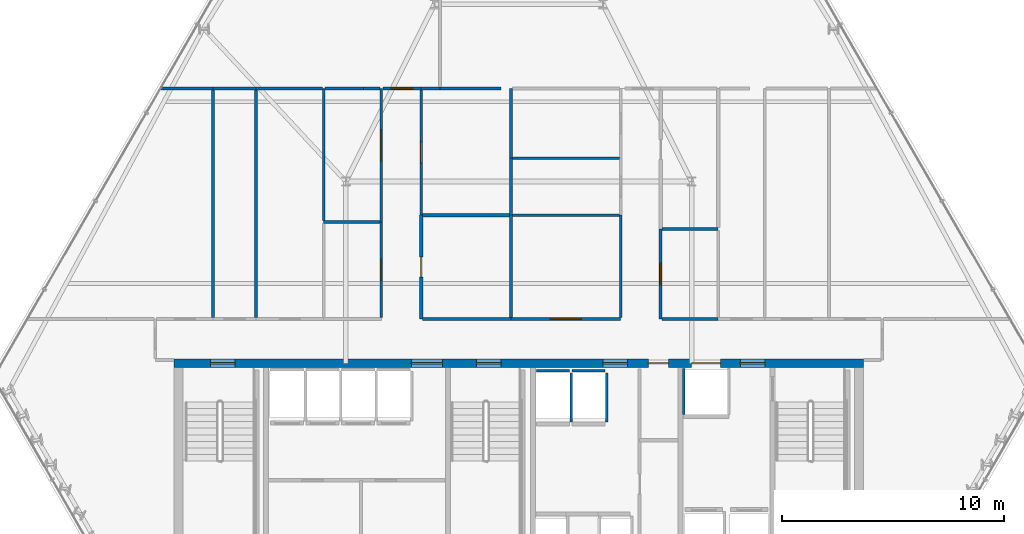
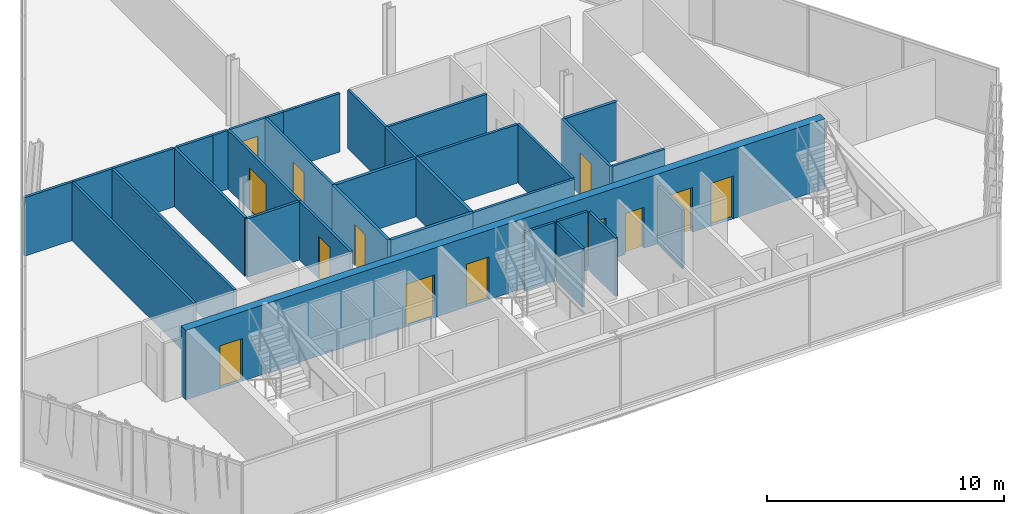
# One storey, part 28 of 33: 34 walls, 14 doors, 14 openings.
"""IFC4 building model written with IfcOpenShell, lengths in metres."""

from ifc_helpers import new_model, si_unit, direction, frame, frame_2d, origin, place, context, subcontext, project, spatial, rectangle, extrude, material, layer, layer_set, type_object, element, fill, save


model = new_model("IFC4")

# Units and contexts
model_context = context("Model", 3, precision=1e-05, world=origin(), true_north=direction((0.0, 1.0)))
body_context = subcontext(model_context, "Body", "Model", "MODEL_VIEW")
ifc_project = project(units=[si_unit("LENGTHUNIT", "METRE"), si_unit("AREAUNIT", "SQUARE_METRE"), si_unit("VOLUMEUNIT", "CUBIC_METRE"), si_unit("PLANEANGLEUNIT", "RADIAN"), si_unit("MASSUNIT", "GRAM", prefix="KILO")], contexts=[model_context])

# Site, building, storey
site_placement = place(None, origin())
site = spatial("IfcSite", under=ifc_project, at=site_placement, CompositionType="ELEMENT")
building_placement = place(site_placement, origin())
building = spatial("IfcBuilding", under=site, at=building_placement, Name="Ndaravel Arena Tower", CompositionType="ELEMENT")
storey_placement = place(building_placement, frame((0.0, 0.0, 168.800048828125)))
storey = spatial("IfcBuildingStorey", under=building, at=storey_placement, Name="L40", CompositionType="ELEMENT", Elevation=168.800048828125)

# Wall, openings, doors
ifc_material_1 = material(Name="Concrete C50/60", Category="concrete")
ifc_layer_1 = layer(ifc_material_1, 0.39990234375)
ifc_layer_set_1 = layer_set([ifc_layer_1], Name="Concrete C50/60")
wall_type_1 = type_object("IfcWallType", Name="WALL-CORE-400", PredefinedType="SOLIDWALL", material=ifc_layer_set_1)
wall_1_placement = place(storey_placement, frame((26.449951171875, 15.0, 0.0), z_axis=(0.0, 0.0, 1.0), x_axis=(1.0, 0.0, 0.0)))
wall_1 = element("IfcWall", 1, at=wall_1_placement, inside=storey, type_object=wall_type_1, Name="L40 Core North Shear Wall", PredefinedType="SOLIDWALL", context=body_context, shape_type="SweptSolid", body=[
    extrude(rectangle(XDim=31.10009765625, YDim=0.39990234375, at=frame_2d((15.550048828125, 0.0))), origin(), (0.0, 0.0, 1.0), 3.579833984375),
])
opening_1_placement = place(wall_1_placement, frame((1.64990234375, 0.0, 0.0)))
opening_1 = element("IfcOpeningElement", 2, at=opening_1_placement, cuts=wall_1, Name="Opening FD-01", PredefinedType="OPENING", context=body_context, shape_type="SweptSolid", body=[
    extrude(rectangle(XDim=1.10009765625, YDim=2.199951171875, at=frame_2d((0.550048828125, 1.10009765625))), frame((0.0, 0.199951171875, 0.0), z_axis=(0.0, -1.0, 0.0), x_axis=(1.0, 0.0, 0.0)), (0.0, 0.0, 1.0), 0.39990234375),
])
opening_2_placement = place(wall_1_placement, frame((13.64990234375, 0.0, 0.0)))
opening_2 = element("IfcOpeningElement", 3, at=opening_2_placement, cuts=wall_1, Name="Opening FD-01", PredefinedType="OPENING", context=body_context, shape_type="SweptSolid", body=[
    extrude(rectangle(XDim=1.10009765625, YDim=2.199951171875, at=frame_2d((0.550048828125, 1.10009765625))), frame((0.0, 0.199951171875, 0.0), z_axis=(0.0, -1.0, 0.0), x_axis=(1.0, 0.0, 0.0)), (0.0, 0.0, 1.0), 0.39990234375),
])
opening_3_placement = place(wall_1_placement, frame((25.550048828125, 0.0, 0.0)))
opening_3 = element("IfcOpeningElement", 4, at=opening_3_placement, cuts=wall_1, Name="Opening FD-01", PredefinedType="OPENING", context=body_context, shape_type="SweptSolid", body=[
    extrude(rectangle(XDim=1.10009765625, YDim=2.199951171875, at=frame_2d((0.550048828125, 1.10009765625))), frame((0.0, 0.199951171875, 0.0), z_axis=(0.0, -1.0, 0.0), x_axis=(1.0, 0.0, 0.0)), (0.0, 0.0, 1.0), 0.39990234375),
])
opening_4_placement = place(wall_1_placement, frame((10.699951171875, 0.0, 0.0)))
opening_4 = element("IfcOpeningElement", 5, at=opening_4_placement, cuts=wall_1, Name="Opening ID-02", PredefinedType="OPENING", context=body_context, shape_type="SweptSolid", body=[
    extrude(rectangle(XDim=1.39990234375, YDim=2.199951171875, at=frame_2d((0.699951171875, 1.10009765625))), frame((0.0, 0.199951171875, 0.0), z_axis=(0.0, -1.0, 0.0), x_axis=(1.0, 0.0, 0.0)), (0.0, 0.0, 1.0), 0.39990234375),
])
opening_5_placement = place(wall_1_placement, frame((19.35009765625, 0.0, 0.0)))
opening_5 = element("IfcOpeningElement", 6, at=opening_5_placement, cuts=wall_1, Name="Opening FD-01", PredefinedType="OPENING", context=body_context, shape_type="SweptSolid", body=[
    extrude(rectangle(XDim=1.10009765625, YDim=2.199951171875, at=frame_2d((0.550048828125, 1.10009765625))), frame((0.0, 0.199951171875, 0.0), z_axis=(0.0, -1.0, 0.0), x_axis=(1.0, 0.0, 0.0)), (0.0, 0.0, 1.0), 0.39990234375),
])
opening_6_placement = place(wall_1_placement, frame((21.39990234375, 0.0, 0.0)))
opening_6 = element("IfcOpeningElement", 7, at=opening_6_placement, cuts=wall_1, Name="Opening RD-01", PredefinedType="OPENING", context=body_context, shape_type="SweptSolid", body=[
    extrude(rectangle(XDim=0.89990234375, YDim=2.10009765625, at=frame_2d((0.449951171875, 1.050048828125))), frame((0.0, 0.199951171875, 0.0), z_axis=(0.0, -1.0, 0.0), x_axis=(1.0, 0.0, 0.0)), (0.0, 0.0, 1.0), 0.39990234375),
])
opening_7_placement = place(wall_1_placement, frame((23.35009765625, 0.0, 0.0)))
opening_7 = element("IfcOpeningElement", 8, at=opening_7_placement, cuts=wall_1, Name="Opening LD-02", PredefinedType="OPENING", context=body_context, shape_type="SweptSolid", body=[
    extrude(rectangle(XDim=1.300048828125, YDim=2.300048828125, at=frame_2d((0.64990234375, 1.14990234375))), frame((0.0, 0.199951171875, 0.0), z_axis=(0.0, -1.0, 0.0), x_axis=(1.0, 0.0, 0.0)), (0.0, 0.0, 1.0), 0.39990234375),
])
ifc_material_2 = material(Name="Steel S355", Category="steel")
door_type_1 = type_object("IfcDoorType", Name="DT-01-STAIR-1100", OperationType="SINGLE_SWING_LEFT", PredefinedType="DOOR", material=ifc_material_2)
door_1_placement = place(opening_1_placement, origin())
door_1 = element("IfcDoor", 9, at=door_1_placement, inside=storey, type_object=door_type_1, Name="L40 Exit Stair ST-1 Door", OperationType="SINGLE_SWING_LEFT", OverallHeight=2.199951171875, OverallWidth=1.10009765625, PredefinedType="DOOR", context=body_context, shape_type="SweptSolid", body=[
    extrude(rectangle(XDim=1.10009765625, YDim=2.199951171875, at=frame_2d((0.550048828125, 1.10009765625))), frame((0.0, 0.02490234375, 0.0), z_axis=(0.0, -1.0, 0.0), x_axis=(1.0, 0.0, 0.0)), (0.0, 0.0, 1.0), 0.050048828125),
])
fill(opening_1, door_1)
door_2_placement = place(opening_2_placement, origin())
door_2 = element("IfcDoor", 10, at=door_2_placement, inside=storey, type_object=door_type_1, Name="L40 Exit Stair ST-2 Door", OperationType="SINGLE_SWING_RIGHT", OverallHeight=2.199951171875, OverallWidth=1.10009765625, PredefinedType="DOOR", context=body_context, shape_type="SweptSolid", body=[
    extrude(rectangle(XDim=1.10009765625, YDim=2.199951171875, at=frame_2d((0.550048828125, 1.10009765625))), frame((0.0, 0.02490234375, 0.0), z_axis=(0.0, -1.0, 0.0), x_axis=(1.0, 0.0, 0.0)), (0.0, 0.0, 1.0), 0.050048828125),
])
fill(opening_2, door_2)
door_3_placement = place(opening_3_placement, origin())
door_3 = element("IfcDoor", 11, at=door_3_placement, inside=storey, type_object=door_type_1, Name="L40 Firefighting Lift Lobby Door", OperationType="SINGLE_SWING_RIGHT", OverallHeight=2.199951171875, OverallWidth=1.10009765625, PredefinedType="DOOR", context=body_context, shape_type="SweptSolid", body=[
    extrude(rectangle(XDim=1.10009765625, YDim=2.199951171875, at=frame_2d((0.550048828125, 1.10009765625))), frame((0.0, 0.02490234375, 0.0), z_axis=(0.0, -1.0, 0.0), x_axis=(1.0, 0.0, 0.0)), (0.0, 0.0, 1.0), 0.050048828125),
])
fill(opening_3, door_3)
door_4_placement = place(opening_5_placement, origin())
door_4 = element("IfcDoor", 12, at=door_4_placement, inside=storey, type_object=door_type_1, Name="L40 Express Lift Lobby Entry Door", OperationType="SINGLE_SWING_LEFT", OverallHeight=2.199951171875, OverallWidth=1.10009765625, PredefinedType="DOOR", context=body_context, shape_type="SweptSolid", body=[
    extrude(rectangle(XDim=1.10009765625, YDim=2.199951171875, at=frame_2d((0.550048828125, 1.10009765625))), frame((0.0, 0.02490234375, 0.0), z_axis=(0.0, -1.0, 0.0), x_axis=(1.0, 0.0, 0.0)), (0.0, 0.0, 1.0), 0.050048828125),
])
fill(opening_5, door_4)
ifc_material_3 = material(Name="Timber", Category="wood")
door_type_2 = type_object("IfcDoorType", Name="DT-04-SUITE-1400", OperationType="DOUBLE_DOOR_SINGLE_SWING", PredefinedType="DOOR", material=ifc_material_3)
door_5_placement = place(opening_4_placement, origin())
door_5 = element("IfcDoor", 13, at=door_5_placement, inside=storey, type_object=door_type_2, Name="L40 West Lift Lobby Entry Door", OperationType="DOUBLE_DOOR_SINGLE_SWING", OverallHeight=2.199951171875, OverallWidth=1.39990234375, PredefinedType="DOOR", context=body_context, shape_type="SweptSolid", body=[
    extrude(rectangle(XDim=1.39990234375, YDim=2.199951171875, at=frame_2d((0.699951171875, 1.10009765625))), frame((0.0, 0.02490234375, 0.0), z_axis=(0.0, -1.0, 0.0), x_axis=(1.0, 0.0, 0.0)), (0.0, 0.0, 1.0), 0.050048828125),
])
fill(opening_4, door_5)
ifc_material_4 = material(Name="Steel S355", Category="steel")
door_type_3 = type_object("IfcDoorType", Name="DT-07-SVLIFT-1300", OperationType="DOUBLE_DOOR_SLIDING", PredefinedType="DOOR", material=ifc_material_4)
door_6_placement = place(opening_7_placement, origin())
door_6 = element("IfcDoor", 14, at=door_6_placement, inside=storey, type_object=door_type_3, Name="L40 Lift SVL-1 Sliding Landing Door", OperationType="DOUBLE_DOOR_SLIDING", OverallHeight=2.300048828125, OverallWidth=1.300048828125, PredefinedType="DOOR", context=body_context, shape_type="SweptSolid", body=[
    extrude(rectangle(XDim=1.300048828125, YDim=2.300048828125, at=frame_2d((0.64990234375, 1.14990234375))), frame((0.0, 0.02490234375, 0.0), z_axis=(0.0, -1.0, 0.0), x_axis=(1.0, 0.0, 0.0)), (0.0, 0.0, 1.0), 0.050048828125),
])
fill(opening_7, door_6)
ifc_material_5 = material(Name="Steel S355", Category="steel")
door_type_4 = type_object("IfcDoorType", Name="DT-08-RISER-900", OperationType="SINGLE_SWING_LEFT", PredefinedType="DOOR", material=ifc_material_5)
door_7_placement = place(opening_6_placement, origin())
door_7 = element("IfcDoor", 15, at=door_7_placement, inside=storey, type_object=door_type_4, Name="L40 Core Service Riser North Door", OperationType="SINGLE_SWING_LEFT", OverallHeight=2.10009765625, OverallWidth=0.89990234375, PredefinedType="DOOR", context=body_context, shape_type="SweptSolid", body=[
    extrude(rectangle(XDim=0.89990234375, YDim=2.10009765625, at=frame_2d((0.449951171875, 1.050048828125))), frame((0.0, 0.02490234375, 0.0), z_axis=(0.0, -1.0, 0.0), x_axis=(1.0, 0.0, 0.0)), (0.0, 0.0, 1.0), 0.050048828125),
])
fill(opening_6, door_7)

# Wall, opening, door
ifc_material_6 = material(Name="Gypsum", Category="gypsum")
ifc_layer_2 = layer(ifc_material_6, 0.125)
ifc_layer_set_2 = layer_set([ifc_layer_2], Name="Gypsum")
wall_type_2 = type_object("IfcWallType", Name="WALL-PART-125", PredefinedType="PARTITIONING", material=ifc_layer_set_2)
wall_2_placement = place(storey_placement, frame((35.800048828125, 17.06494140625, 0.0), z_axis=(0.0, 0.0, 1.0), x_axis=(0.0, 1.0, 0.0)))
wall_2 = element("IfcWall", 16, at=wall_2_placement, inside=storey, type_object=wall_type_2, Name="L40 Interior Partition 009", PredefinedType="PARTITIONING", context=body_context, shape_type="SweptSolid", body=[
    extrude(rectangle(XDim=4.302978515625, YDim=0.125, at=frame_2d((2.1513671875, 0.0))), origin(), (0.0, 0.0, 1.0), 3.010498046875),
])
opening_8_placement = place(wall_2_placement, frame((1.676513671875, 0.0, 0.0)))
opening_8 = element("IfcOpeningElement", 17, at=opening_8_placement, cuts=wall_2, Name="Opening ID-01", PredefinedType="OPENING", context=body_context, shape_type="SweptSolid", body=[
    extrude(rectangle(XDim=0.949951171875, YDim=2.199951171875, at=frame_2d((0.47509765625, 1.10009765625))), frame((0.0, 0.0625, 0.0), z_axis=(0.0, -1.0, 0.0), x_axis=(1.0, 0.0, 0.0)), (0.0, 0.0, 1.0), 0.125),
])
ifc_material_7 = material(Name="Timber", Category="wood")
door_type_5 = type_object("IfcDoorType", Name="DT-03-OFFICE-950", OperationType="SINGLE_SWING_LEFT", PredefinedType="DOOR", material=ifc_material_7)
door_8_placement = place(opening_8_placement, origin())
door_8 = element("IfcDoor", 18, at=door_8_placement, inside=storey, type_object=door_type_5, Name="L40 Quiet Reading Library Door", OperationType="SINGLE_SWING_RIGHT", OverallHeight=2.199951171875, OverallWidth=0.949951171875, PredefinedType="DOOR", context=body_context, shape_type="SweptSolid", body=[
    extrude(rectangle(XDim=0.949951171875, YDim=2.199951171875, at=frame_2d((0.47509765625, 1.10009765625))), frame((0.0, 0.02490234375, 0.0), z_axis=(0.0, -1.0, 0.0), x_axis=(1.0, 0.0, 0.0)), (0.0, 0.0, 1.0), 0.050048828125),
])
fill(opening_8, door_8)

wall_3_placement = place(storey_placement, frame((35.800048828125, 21.367919921875, 0.0), z_axis=(0.0, 0.0, 1.0), x_axis=(0.0, 1.0, 0.0)))
wall_3 = element("IfcWall", 19, at=wall_3_placement, inside=storey, type_object=wall_type_2, Name="L40 Interior Partition 010", PredefinedType="PARTITIONING", context=body_context, shape_type="SweptSolid", body=[
    extrude(rectangle(XDim=6.031982421875, YDim=0.125, at=frame_2d((3.01611328125, 0.0))), origin(), (0.0, 0.0, 1.0), 3.010498046875),
])
opening_9_placement = place(wall_3_placement, frame((2.76611328125, 0.0, 0.0)))
opening_9 = element("IfcOpeningElement", 20, at=opening_9_placement, cuts=wall_3, Name="Opening ID-02", PredefinedType="OPENING", context=body_context, shape_type="SweptSolid", body=[
    extrude(rectangle(XDim=1.39990234375, YDim=2.199951171875, at=frame_2d((0.699951171875, 1.10009765625))), frame((0.0, 0.0625, 0.0), z_axis=(0.0, -1.0, 0.0), x_axis=(1.0, 0.0, 0.0)), (0.0, 0.0, 1.0), 0.125),
])
door_9_placement = place(opening_9_placement, origin())
door_9 = element("IfcDoor", 21, at=door_9_placement, inside=storey, type_object=door_type_2, Name="L40 Client Conference Room 6 Door", OperationType="SINGLE_SWING_LEFT", OverallHeight=2.199951171875, OverallWidth=1.39990234375, PredefinedType="DOOR", context=body_context, shape_type="SweptSolid", body=[
    extrude(rectangle(XDim=1.39990234375, YDim=2.199951171875, at=frame_2d((0.699951171875, 1.10009765625))), frame((0.0, 0.02490234375, 0.0), z_axis=(0.0, -1.0, 0.0), x_axis=(1.0, 0.0, 0.0)), (0.0, 0.0, 1.0), 0.050048828125),
])
fill(opening_9, door_9)

wall_4_placement = place(storey_placement, frame((35.864990234375, 27.39990234375, 0.0), z_axis=(0.0, 0.0, 1.0), x_axis=(1.0, 0.0, 0.0)))
wall_4 = element("IfcWall", 22, at=wall_4_placement, inside=storey, type_object=wall_type_2, Name="L40 Interior Partition 011", PredefinedType="PARTITIONING", context=body_context, shape_type="SweptSolid", body=[
    extrude(rectangle(XDim=1.735107421875, YDim=0.125, at=frame_2d((0.86767578125, 0.0))), origin(), (0.0, 0.0, 1.0), 3.010498046875),
])
opening_10_placement = place(wall_4_placement, frame((0.392578125, 0.0, 0.0)))
opening_10 = element("IfcOpeningElement", 23, at=opening_10_placement, cuts=wall_4, Name="Opening ID-01", PredefinedType="OPENING", context=body_context, shape_type="SweptSolid", body=[
    extrude(rectangle(XDim=0.949951171875, YDim=2.199951171875, at=frame_2d((0.47509765625, 1.10009765625))), frame((0.0, 0.0625, 0.0), z_axis=(0.0, -1.0, 0.0), x_axis=(1.0, 0.0, 0.0)), (0.0, 0.0, 1.0), 0.125),
])
door_10_placement = place(opening_10_placement, origin())
door_10 = element("IfcDoor", 24, at=door_10_placement, inside=storey, type_object=door_type_5, Name="L40 Medical First Aid Clinic 7 Door", OperationType="SINGLE_SWING_RIGHT", OverallHeight=2.199951171875, OverallWidth=0.949951171875, PredefinedType="DOOR", context=body_context, shape_type="SweptSolid", body=[
    extrude(rectangle(XDim=0.949951171875, YDim=2.199951171875, at=frame_2d((0.47509765625, 1.10009765625))), frame((0.0, 0.02490234375, 0.0), z_axis=(0.0, -1.0, 0.0), x_axis=(1.0, 0.0, 0.0)), (0.0, 0.0, 1.0), 0.050048828125),
])
fill(opening_10, door_10)

wall_5_placement = place(storey_placement, frame((37.60009765625, 27.3349609375, 0.0), z_axis=(0.0, 0.0, 1.0), x_axis=(0.0, -1.0, 0.0)))
wall_5 = element("IfcWall", 25, at=wall_5_placement, inside=storey, type_object=wall_type_2, Name="L40 Interior Partition 012", PredefinedType="PARTITIONING", context=body_context, shape_type="SweptSolid", body=[
    extrude(rectangle(XDim=5.655029296875, YDim=0.125, at=frame_2d((2.82763671875, 0.0))), origin(), (0.0, 0.0, 1.0), 3.010498046875),
])
opening_11_placement = place(wall_5_placement, frame((2.3525390625, 0.0, 0.0)))
opening_11 = element("IfcOpeningElement", 26, at=opening_11_placement, cuts=wall_5, Name="Opening ID-01", PredefinedType="OPENING", context=body_context, shape_type="SweptSolid", body=[
    extrude(rectangle(XDim=0.949951171875, YDim=2.199951171875, at=frame_2d((0.47509765625, 1.10009765625))), frame((0.0, 0.0625, 0.0), z_axis=(0.0, -1.0, 0.0), x_axis=(1.0, 0.0, 0.0)), (0.0, 0.0, 1.0), 0.125),
])
door_11_placement = place(opening_11_placement, origin())
door_11 = element("IfcDoor", 27, at=door_11_placement, inside=storey, type_object=door_type_5, Name="L40 Occupational Consult Room 6 Door", OperationType="SINGLE_SWING_RIGHT", OverallHeight=2.199951171875, OverallWidth=0.949951171875, PredefinedType="DOOR", context=body_context, shape_type="SweptSolid", body=[
    extrude(rectangle(XDim=0.949951171875, YDim=2.199951171875, at=frame_2d((0.47509765625, 1.10009765625))), frame((0.0, 0.02490234375, 0.0), z_axis=(0.0, -1.0, 0.0), x_axis=(1.0, 0.0, 0.0)), (0.0, 0.0, 1.0), 0.050048828125),
])
fill(opening_11, door_11)

wall_6_placement = place(storey_placement, frame((41.64990234375, 17.0, 0.0), z_axis=(0.0, 0.0, 1.0), x_axis=(1.0, 0.0, 0.0)))
wall_6 = element("IfcWall", 28, at=wall_6_placement, inside=storey, type_object=wall_type_2, Name="L40 Interior Partition 015", PredefinedType="PARTITIONING", context=body_context, shape_type="SweptSolid", body=[
    extrude(rectangle(XDim=4.9501953125, YDim=0.125, at=frame_2d((2.47509765625, 0.0))), origin(), (0.0, 0.0, 1.0), 3.010498046875),
])
opening_12_placement = place(wall_6_placement, frame((1.77490234375, 0.0, 0.0)))
opening_12 = element("IfcOpeningElement", 29, at=opening_12_placement, cuts=wall_6, Name="Opening ID-02", PredefinedType="OPENING", context=body_context, shape_type="SweptSolid", body=[
    extrude(rectangle(XDim=1.39990234375, YDim=2.199951171875, at=frame_2d((0.699951171875, 1.10009765625))), frame((0.0, 0.0625, 0.0), z_axis=(0.0, -1.0, 0.0), x_axis=(1.0, 0.0, 0.0)), (0.0, 0.0, 1.0), 0.125),
])
door_12_placement = place(opening_12_placement, origin())
door_12 = element("IfcDoor", 30, at=door_12_placement, inside=storey, type_object=door_type_2, Name="L40 Client Conference Room 2 Door", OperationType="SINGLE_SWING_RIGHT", OverallHeight=2.199951171875, OverallWidth=1.39990234375, PredefinedType="DOOR", context=body_context, shape_type="SweptSolid", body=[
    extrude(rectangle(XDim=1.39990234375, YDim=2.199951171875, at=frame_2d((0.699951171875, 1.10009765625))), frame((0.0, 0.02490234375, 0.0), z_axis=(0.0, -1.0, 0.0), x_axis=(1.0, 0.0, 0.0)), (0.0, 0.0, 1.0), 0.050048828125),
])
fill(opening_12, door_12)

# Wall
wall_7_placement = place(storey_placement, frame((46.60009765625, 17.06494140625, 0.0), z_axis=(0.0, 0.0, 1.0), x_axis=(0.0, 1.0, 0.0)))
element("IfcWall", 31, at=wall_7_placement, inside=storey, type_object=wall_type_2, Name="L40 Interior Partition 016", PredefinedType="PARTITIONING", context=body_context, shape_type="SweptSolid", body=[
    extrude(rectangle(XDim=4.614990234375, YDim=0.125, at=frame_2d((2.3076171875, 0.0))), origin(), (0.0, 0.0, 1.0), 3.010498046875),
])

# Wall, opening, door
wall_8_placement = place(storey_placement, frame((48.39990234375, 21.055908203125, 0.0), z_axis=(0.0, 0.0, 1.0), x_axis=(0.0, -1.0, 0.0)))
wall_8 = element("IfcWall", 32, at=wall_8_placement, inside=storey, type_object=wall_type_2, Name="L40 Interior Partition 021", PredefinedType="PARTITIONING", context=body_context, shape_type="SweptSolid", body=[
    extrude(rectangle(XDim=4.055908203125, YDim=0.125, at=frame_2d((2.02783203125, 0.0))), origin(), (0.0, 0.0, 1.0), 3.010498046875),
])
opening_13_placement = place(wall_8_placement, frame((1.552978515625, 0.0, 0.0)))
opening_13 = element("IfcOpeningElement", 33, at=opening_13_placement, cuts=wall_8, Name="Opening ID-01", PredefinedType="OPENING", context=body_context, shape_type="SweptSolid", body=[
    extrude(rectangle(XDim=0.949951171875, YDim=2.199951171875, at=frame_2d((0.47509765625, 1.10009765625))), frame((0.0, 0.0625, 0.0), z_axis=(0.0, -1.0, 0.0), x_axis=(1.0, 0.0, 0.0)), (0.0, 0.0, 1.0), 0.125),
])
door_13_placement = place(opening_13_placement, origin())
door_13 = element("IfcDoor", 34, at=door_13_placement, inside=storey, type_object=door_type_5, Name="L40 Open Plan Workplace Door", OperationType="SINGLE_SWING_LEFT", OverallHeight=2.199951171875, OverallWidth=0.949951171875, PredefinedType="DOOR", context=body_context, shape_type="SweptSolid", body=[
    extrude(rectangle(XDim=0.949951171875, YDim=2.199951171875, at=frame_2d((0.47509765625, 1.10009765625))), frame((0.0, 0.02490234375, 0.0), z_axis=(0.0, -1.0, 0.0), x_axis=(1.0, 0.0, 0.0)), (0.0, 0.0, 1.0), 0.050048828125),
])
fill(opening_13, door_13)

# Walls
wall_9_placement = place(storey_placement, frame((48.465087890625, 17.0, 0.0), z_axis=(0.0, 0.0, 1.0), x_axis=(1.0, 0.0, 0.0)))
element("IfcWall", 35, at=wall_9_placement, inside=storey, type_object=wall_type_2, Name="L40 Interior Partition 022", PredefinedType="PARTITIONING", context=body_context, shape_type="SweptSolid", body=[
    extrude(rectangle(XDim=2.534912109375, YDim=0.125, at=frame_2d((1.267578125, 0.0))), origin(), (0.0, 0.0, 1.0), 3.010498046875),
])
wall_10_placement = place(storey_placement, frame((33.199951171875, 21.367919921875, 0.0), z_axis=(0.0, 0.0, 1.0), x_axis=(1.0, 0.0, 0.0)))
element("IfcWall", 36, at=wall_10_placement, inside=storey, type_object=wall_type_2, Name="L40 Interior Partition 032", PredefinedType="PARTITIONING", context=body_context, shape_type="SweptSolid", body=[
    extrude(rectangle(XDim=2.53515625, YDim=0.125, at=frame_2d((1.267578125, 0.0))), origin(), (0.0, 0.0, 1.0), 3.010498046875),
])
wall_11_placement = place(storey_placement, frame((41.715087890625, 21.679931640625, 0.0), z_axis=(0.0, 0.0, 1.0), x_axis=(1.0, 0.0, 0.0)))
element("IfcWall", 37, at=wall_11_placement, inside=storey, type_object=wall_type_2, Name="L40 Interior Partition 036", PredefinedType="PARTITIONING", context=body_context, shape_type="SweptSolid", body=[
    extrude(rectangle(XDim=4.81982421875, YDim=0.125, at=frame_2d((2.409912109375, 0.0))), origin(), (0.0, 0.0, 1.0), 3.010498046875),
])
wall_12_placement = place(storey_placement, frame((25.83984375, 27.39990234375, 0.0), z_axis=(0.0, 0.0, 1.0), x_axis=(1.0, 0.0, 0.0)))
element("IfcWall", 38, at=wall_12_placement, inside=storey, type_object=wall_type_2, Name="L40 Interior Partition 039", PredefinedType="PARTITIONING", context=body_context, shape_type="SweptSolid", body=[
    extrude(rectangle(XDim=2.360107421875, YDim=0.125, at=frame_2d((1.18017578125, 0.0))), origin(), (0.0, 0.0, 1.0), 3.010498046875),
])
wall_13_placement = place(storey_placement, frame((28.199951171875, 27.3349609375, 0.0), z_axis=(0.0, 0.0, 1.0), x_axis=(0.0, -1.0, 0.0)))
element("IfcWall", 39, at=wall_13_placement, inside=storey, type_object=wall_type_2, Name="L40 Interior Partition 040", PredefinedType="PARTITIONING", context=body_context, shape_type="SweptSolid", body=[
    extrude(rectangle(XDim=10.27001953125, YDim=0.125, at=frame_2d((5.135009765625, 0.0))), origin(), (0.0, 0.0, 1.0), 3.010498046875),
])
wall_14_placement = place(storey_placement, frame((28.199951171875, 27.39990234375, 0.0), z_axis=(0.0, 0.0, 1.0), x_axis=(1.0, 0.0, 0.0)))
element("IfcWall", 40, at=wall_14_placement, inside=storey, type_object=wall_type_2, Name="L40 Interior Partition 041", PredefinedType="PARTITIONING", context=body_context, shape_type="SweptSolid", body=[
    extrude(rectangle(XDim=1.949951171875, YDim=0.125, at=frame_2d((0.97509765625, 0.0))), origin(), (0.0, 0.0, 1.0), 3.010498046875),
])
wall_15_placement = place(storey_placement, frame((30.14990234375, 27.3349609375, 0.0), z_axis=(0.0, 0.0, 1.0), x_axis=(0.0, -1.0, 0.0)))
element("IfcWall", 41, at=wall_15_placement, inside=storey, type_object=wall_type_2, Name="L40 Interior Partition 042", PredefinedType="PARTITIONING", context=body_context, shape_type="SweptSolid", body=[
    extrude(rectangle(XDim=10.27001953125, YDim=0.125, at=frame_2d((5.135009765625, 0.0))), origin(), (0.0, 0.0, 1.0), 3.010498046875),
])
wall_16_placement = place(storey_placement, frame((33.199951171875, 27.39990234375, 0.0), z_axis=(0.0, 0.0, 1.0), x_axis=(0.0, -1.0, 0.0)))
element("IfcWall", 42, at=wall_16_placement, inside=storey, type_object=wall_type_2, Name="L40 Interior Partition 043", PredefinedType="PARTITIONING", context=body_context, shape_type="SweptSolid", body=[
    extrude(rectangle(XDim=5.966796875, YDim=0.125, at=frame_2d((2.9833984375, 0.0))), origin(), (0.0, 0.0, 1.0), 3.010498046875),
])
wall_17_placement = place(storey_placement, frame((30.14990234375, 27.39990234375, 0.0), z_axis=(0.0, 0.0, 1.0), x_axis=(1.0, 0.0, 0.0)))
element("IfcWall", 43, at=wall_17_placement, inside=storey, type_object=wall_type_2, Name="L40 Interior Partition 044", PredefinedType="PARTITIONING", context=body_context, shape_type="SweptSolid", body=[
    extrude(rectangle(XDim=2.985107421875, YDim=0.125, at=frame_2d((1.49267578125, 0.0))), origin(), (0.0, 0.0, 1.0), 3.010498046875),
])
wall_18_placement = place(storey_placement, frame((41.64990234375, 21.679931640625, 0.0), z_axis=(0.0, 0.0, 1.0), x_axis=(0.0, 1.0, 0.0)))
element("IfcWall", 44, at=wall_18_placement, inside=storey, type_object=wall_type_2, Name="L40 Interior Partition 049", PredefinedType="PARTITIONING", context=body_context, shape_type="SweptSolid", body=[
    extrude(rectangle(XDim=2.573974609375, YDim=0.125, at=frame_2d((1.287109375, 0.0))), origin(), (0.0, 0.0, 1.0), 3.010498046875),
])
wall_19_placement = place(storey_placement, frame((41.715087890625, 24.25390625, 0.0), z_axis=(0.0, 0.0, 1.0), x_axis=(1.0, 0.0, 0.0)))
element("IfcWall", 45, at=wall_19_placement, inside=storey, type_object=wall_type_2, Name="L40 Interior Partition 050", PredefinedType="PARTITIONING", context=body_context, shape_type="SweptSolid", body=[
    extrude(rectangle(XDim=4.81982421875, YDim=0.125, at=frame_2d((2.409912109375, 0.0))), origin(), (0.0, 0.0, 1.0), 3.010498046875),
])
wall_20_placement = place(storey_placement, frame((33.264892578125, 27.39990234375, 0.0), z_axis=(0.0, 0.0, 1.0), x_axis=(1.0, 0.0, 0.0)))
element("IfcWall", 46, at=wall_20_placement, inside=storey, type_object=wall_type_2, Name="L40 Interior Partition 052", PredefinedType="PARTITIONING", context=body_context, shape_type="SweptSolid", body=[
    extrude(rectangle(XDim=1.735107421875, YDim=0.125, at=frame_2d((0.86767578125, 0.0))), origin(), (0.0, 0.0, 1.0), 3.010498046875),
])
wall_21_placement = place(storey_placement, frame((35.0, 27.39990234375, 0.0), z_axis=(0.0, 0.0, 1.0), x_axis=(1.0, 0.0, 0.0)))
element("IfcWall", 47, at=wall_21_placement, inside=storey, type_object=wall_type_2, Name="L40 Interior Partition 053", PredefinedType="PARTITIONING", context=body_context, shape_type="SweptSolid", body=[
    extrude(rectangle(XDim=0.735107421875, YDim=0.125, at=frame_2d((0.36767578125, 0.0))), origin(), (0.0, 0.0, 1.0), 3.010498046875),
])
wall_22_placement = place(storey_placement, frame((41.64990234375, 27.39990234375, 0.0), z_axis=(0.0, 0.0, 1.0), x_axis=(0.0, -1.0, 0.0)))
element("IfcWall", 48, at=wall_22_placement, inside=storey, type_object=wall_type_2, Name="L40 Interior Partition 054", PredefinedType="PARTITIONING", context=body_context, shape_type="SweptSolid", body=[
    extrude(rectangle(XDim=3.14599609375, YDim=0.125, at=frame_2d((1.572998046875, 0.0))), origin(), (0.0, 0.0, 1.0), 3.010498046875),
])
wall_23_placement = place(storey_placement, frame((37.60009765625, 27.39990234375, 0.0), z_axis=(0.0, 0.0, 1.0), x_axis=(1.0, 0.0, 0.0)))
element("IfcWall", 49, at=wall_23_placement, inside=storey, type_object=wall_type_2, Name="L40 Interior Partition 055", PredefinedType="PARTITIONING", context=body_context, shape_type="SweptSolid", body=[
    extrude(rectangle(XDim=0.8447265625, YDim=0.125, at=frame_2d((0.42236328125, 0.0))), origin(), (0.0, 0.0, 1.0), 3.010498046875),
])
wall_24_placement = place(storey_placement, frame((38.44482421875, 27.39990234375, 0.0), z_axis=(0.0, 0.0, 1.0), x_axis=(1.0, 0.0, 0.0)))
element("IfcWall", 50, at=wall_24_placement, inside=storey, type_object=wall_type_2, Name="L40 Interior Partition 056", PredefinedType="PARTITIONING", context=body_context, shape_type="SweptSolid", body=[
    extrude(rectangle(XDim=2.755126953125, YDim=0.125, at=frame_2d((1.37744140625, 0.0))), origin(), (0.0, 0.0, 1.0), 3.010498046875),
])
ifc_material_8 = material(Name="Concrete C40/50", Category="concrete")
ifc_layer_3 = layer(ifc_material_8, 0.1201171875)
ifc_layer_set_3 = layer_set([ifc_layer_3], Name="Concrete C40/50")
wall_type_3 = type_object("IfcWallType", Name="WALL-SHAFT-120", PredefinedType="SOLIDWALL", material=ifc_layer_set_3)
wall_25_placement = place(storey_placement, frame((42.804931640625, 14.659912109375, 0.0), z_axis=(0.0, 0.0, 1.0), x_axis=(1.0, 0.0, 0.0)))
element("IfcWall", 51, at=wall_25_placement, inside=storey, type_object=wall_type_3, Name="L40 PL-OBS1 Shaft Rear Wall", PredefinedType="SOLIDWALL", context=body_context, shape_type="SweptSolid", body=[
    extrude(rectangle(XDim=1.489990234375, YDim=0.1201171875, at=frame_2d((0.7451171875, 0.0))), origin(), (0.0, 0.0, 1.0), 3.010498046875),
])
wall_26_placement = place(storey_placement, frame((44.375, 12.340087890625, 0.0), z_axis=(0.0, 0.0, 1.0), x_axis=(0.0, 1.0, 0.0)))
element("IfcWall", 52, at=wall_26_placement, inside=storey, type_object=wall_type_3, Name="L40 PL-OBS1 Shaft Side R Wall", PredefinedType="SOLIDWALL", context=body_context, shape_type="SweptSolid", body=[
    extrude(rectangle(XDim=2.22998046875, YDim=0.1201171875, at=frame_2d((1.114990234375, 0.0))), origin(), (0.0, 0.0, 1.0), 3.010498046875),
])
wall_27_placement = place(storey_placement, frame((44.405029296875, 14.659912109375, 0.0), z_axis=(0.0, 0.0, 1.0), x_axis=(1.0, 0.0, 0.0)))
element("IfcWall", 53, at=wall_27_placement, inside=storey, type_object=wall_type_3, Name="L40 PL-OBS2 Shaft Rear Wall", PredefinedType="SOLIDWALL", context=body_context, shape_type="SweptSolid", body=[
    extrude(rectangle(XDim=1.489990234375, YDim=0.1201171875, at=frame_2d((0.7451171875, 0.0))), origin(), (0.0, 0.0, 1.0), 3.010498046875),
])
wall_28_placement = place(storey_placement, frame((45.97509765625, 12.340087890625, 0.0), z_axis=(0.0, 0.0, 1.0), x_axis=(0.0, 1.0, 0.0)))
element("IfcWall", 54, at=wall_28_placement, inside=storey, type_object=wall_type_3, Name="L40 PL-OBS2 Shaft Side R Wall", PredefinedType="SOLIDWALL", context=body_context, shape_type="SweptSolid", body=[
    extrude(rectangle(XDim=2.22998046875, YDim=0.1201171875, at=frame_2d((1.114990234375, 0.0))), origin(), (0.0, 0.0, 1.0), 3.010498046875),
])
wall_29_placement = place(storey_placement, frame((49.43994140625, 12.68994140625, 0.0), z_axis=(0.0, 0.0, 1.0), x_axis=(0.0, 1.0, 0.0)))
element("IfcWall", 55, at=wall_29_placement, inside=storey, type_object=wall_type_3, Name="L40 SVL-1 Shaft W Wall", PredefinedType="SOLIDWALL", context=body_context, shape_type="SweptSolid", body=[
    extrude(rectangle(XDim=2.070068359375, YDim=0.1201171875, at=frame_2d((1.03515625, 0.0))), origin(), (0.0, 0.0, 1.0), 3.010498046875),
])

# Wall, opening, door
ifc_material_9 = material(Name="Masonry", Category="masonry")
ifc_layer_4 = layer(ifc_material_9, 0.14990234375)
ifc_layer_set_4 = layer_set([ifc_layer_4], Name="Masonry")
wall_type_4 = type_object("IfcWallType", Name="WALL-WET-150", PredefinedType="PARTITIONING", material=ifc_layer_set_4)
wall_30_placement = place(storey_placement, frame((37.60009765625, 21.679931640625, 0.0), z_axis=(0.0, 0.0, 1.0), x_axis=(0.0, -1.0, 0.0)))
wall_30 = element("IfcWall", 56, at=wall_30_placement, inside=storey, type_object=wall_type_4, Name="L40 Interior Partition 013", PredefinedType="PARTITIONING", context=body_context, shape_type="SweptSolid", body=[
    extrude(rectangle(XDim=4.679931640625, YDim=0.14990234375, at=frame_2d((2.33984375, 0.0))), origin(), (0.0, 0.0, 1.0), 3.010498046875),
])
opening_14_placement = place(wall_30_placement, frame((1.889892578125, 0.0, 0.0)))
opening_14 = element("IfcOpeningElement", 57, at=opening_14_placement, cuts=wall_30, Name="Opening WD-01", PredefinedType="OPENING", context=body_context, shape_type="SweptSolid", body=[
    extrude(rectangle(XDim=0.89990234375, YDim=2.14990234375, at=frame_2d((0.449951171875, 1.074951171875))), frame((0.0, 0.074951171875, 0.0), z_axis=(0.0, -1.0, 0.0), x_axis=(1.0, 0.0, 0.0)), (0.0, 0.0, 1.0), 0.14990234375),
])
ifc_material_10 = material(Name="Timber", Category="wood")
door_type_6 = type_object("IfcDoorType", Name="DT-05-WC-900", OperationType="SINGLE_SWING_LEFT", PredefinedType="DOOR", material=ifc_material_10)
door_14_placement = place(opening_14_placement, origin())
door_14 = element("IfcDoor", 58, at=door_14_placement, inside=storey, type_object=door_type_6, Name="L40 Male Staff & Visitor Restroom Door", OperationType="SINGLE_SWING_LEFT", OverallHeight=2.14990234375, OverallWidth=0.89990234375, PredefinedType="DOOR", context=body_context, shape_type="SweptSolid", body=[
    extrude(rectangle(XDim=0.89990234375, YDim=2.14990234375, at=frame_2d((0.449951171875, 1.074951171875))), frame((0.0, 0.02490234375, 0.0), z_axis=(0.0, -1.0, 0.0), x_axis=(1.0, 0.0, 0.0)), (0.0, 0.0, 1.0), 0.050048828125),
])
fill(opening_14, door_14)

# Walls
wall_31_placement = place(storey_placement, frame((37.6650390625, 17.0, 0.0), z_axis=(0.0, 0.0, 1.0), x_axis=(1.0, 0.0, 0.0)))
element("IfcWall", 59, at=wall_31_placement, inside=storey, type_object=wall_type_4, Name="L40 Interior Partition 014", PredefinedType="PARTITIONING", context=body_context, shape_type="SweptSolid", body=[
    extrude(rectangle(XDim=3.98486328125, YDim=0.14990234375, at=frame_2d((1.992431640625, 0.0))), origin(), (0.0, 0.0, 1.0), 3.010498046875),
])
wall_32_placement = place(storey_placement, frame((48.465087890625, 21.055908203125, 0.0), z_axis=(0.0, 0.0, 1.0), x_axis=(1.0, 0.0, 0.0)))
element("IfcWall", 60, at=wall_32_placement, inside=storey, type_object=wall_type_4, Name="L40 Interior Partition 030", PredefinedType="PARTITIONING", context=body_context, shape_type="SweptSolid", body=[
    extrude(rectangle(XDim=2.534912109375, YDim=0.14990234375, at=frame_2d((1.267578125, 0.0))), origin(), (0.0, 0.0, 1.0), 3.010498046875),
])
wall_33_placement = place(storey_placement, frame((41.64990234375, 21.679931640625, 0.0), z_axis=(0.0, 0.0, 1.0), x_axis=(0.0, -1.0, 0.0)))
element("IfcWall", 61, at=wall_33_placement, inside=storey, type_object=wall_type_4, Name="L40 Interior Partition 034", PredefinedType="PARTITIONING", context=body_context, shape_type="SweptSolid", body=[
    extrude(rectangle(XDim=4.614990234375, YDim=0.14990234375, at=frame_2d((2.3076171875, 0.0))), origin(), (0.0, 0.0, 1.0), 3.010498046875),
])
wall_34_placement = place(storey_placement, frame((37.6650390625, 21.679931640625, 0.0), z_axis=(0.0, 0.0, 1.0), x_axis=(1.0, 0.0, 0.0)))
element("IfcWall", 62, at=wall_34_placement, inside=storey, type_object=wall_type_4, Name="L40 Interior Partition 035", PredefinedType="PARTITIONING", context=body_context, shape_type="SweptSolid", body=[
    extrude(rectangle(XDim=3.919921875, YDim=0.14990234375, at=frame_2d((1.9599609375, 0.0))), origin(), (0.0, 0.0, 1.0), 3.010498046875),
])

save(model, "model.ifc")
